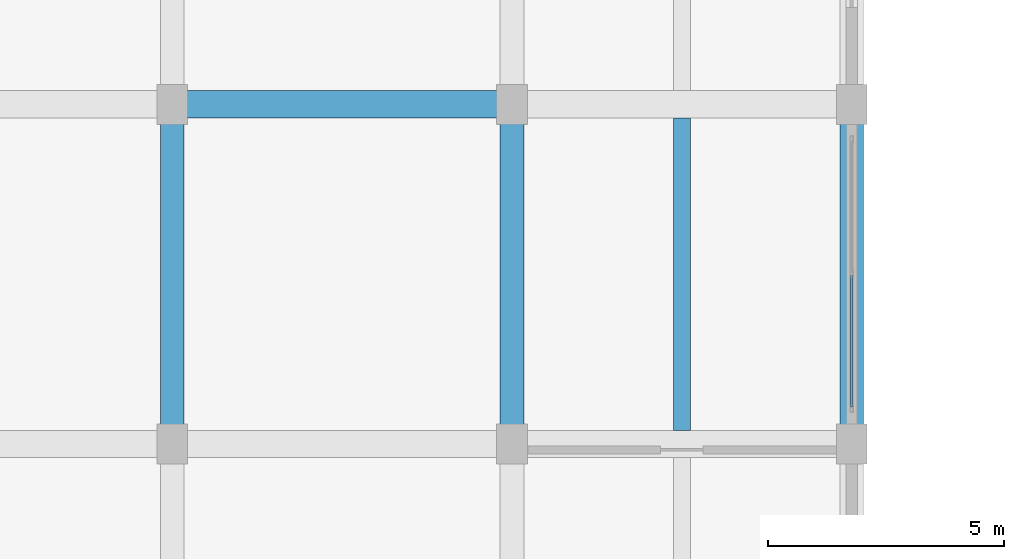
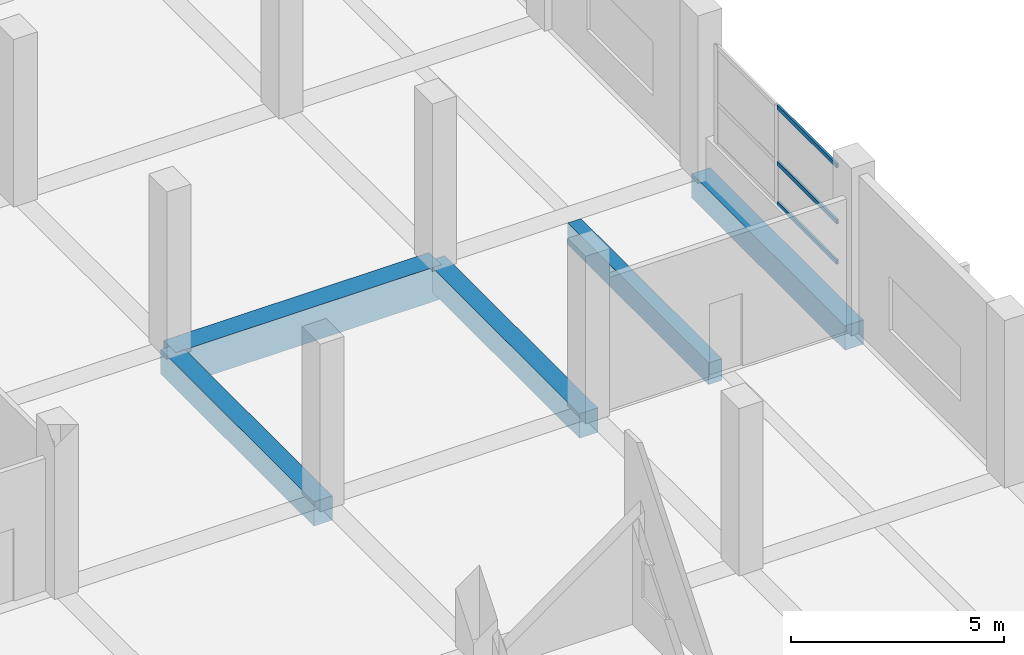
# One storey, part 134 of 181: 5 beams, 3 members, 1 element without a shape of its own.
"""IFC4 building model written with IfcOpenShell, lengths in metres."""

from ifc_helpers import new_model, si_unit, direction, frame, origin, origin_2d, place, context, subcontext, project, spatial, rectangle, hollow_rectangle, extrude, material, layer, layer_set, material_profile, profile_set, type_object, element, aggregate, save


model = new_model("IFC4")

# Units and contexts
model_context = context("Model", 3, precision=1e-05, world=origin(), true_north=direction((0.0, 1.0)))
body_context = subcontext(model_context, "Body", "Model", "MODEL_VIEW")
ifc_project = project(units=[si_unit("LENGTHUNIT", "METRE"), si_unit("AREAUNIT", "SQUARE_METRE"), si_unit("VOLUMEUNIT", "CUBIC_METRE"), si_unit("PLANEANGLEUNIT", "RADIAN"), si_unit("MASSUNIT", "GRAM", prefix="KILO")], contexts=[model_context])

# Site, building, storey
site_placement = place(None, origin())
site = spatial("IfcSite", under=ifc_project, at=site_placement, CompositionType="ELEMENT")
building_placement = place(site_placement, origin())
building = spatial("IfcBuilding", under=site, at=building_placement, Name="Seraya Terrace Polytechnic", CompositionType="ELEMENT")
storey_placement = place(building_placement, frame((0.0, 0.0, 4.800048828125)))
storey = spatial("IfcBuildingStorey", under=building, at=storey_placement, Name="L01", CompositionType="ELEMENT", Elevation=4.800048828125)

# Beams
ifc_material_1 = material(Name="Concrete C40/50", Category="concrete")
ifc_material_profile_1 = material_profile(ifc_material_1, rectangle(XDim=0.580078125, YDim=0.97998046875, at=origin_2d()), Name="RC 580x980")
ifc_profile_set_1 = profile_set([ifc_material_profile_1], Name="Concrete C40/50")
beam_type_1 = type_object("IfcBeamType", Name="BM-02", PredefinedType="BEAM", material=ifc_profile_set_1)
beam_1_placement = place(storey_placement, frame((144.0, 93.60009765625, -0.489990234375), z_axis=(1.0, 0.0, 0.0), x_axis=(0.0, 1.0, 0.0)))
element("IfcBeam", 1, at=beam_1_placement, inside=storey, type_object=beam_type_1, Name="Beam BM-02 L01 X (144.0..151.2, 93.6)", PredefinedType="BEAM", context=body_context, shape_type="SweptSolid", body=[
    extrude(rectangle(XDim=0.580078125, YDim=0.97998046875, at=origin_2d()), origin(), (0.0, 0.0, 1.0), 7.199951171875),
])
ifc_material_profile_2 = material_profile(ifc_material_1, rectangle(XDim=0.5, YDim=0.699951171875, at=origin_2d()), Name="RC 500x700")
ifc_profile_set_2 = profile_set([ifc_material_profile_2], Name="Concrete C40/50")
beam_type_2 = type_object("IfcBeamType", Name="BM-07", PredefinedType="BEAM", material=ifc_profile_set_2)
for number, where, z_axis, x_axis, name in (
    (2, (144.0, 86.39990234375, -0.35009765625), (0.0, 1.0, 0.0), (-1.0, 0.0, 0.0), "Beam BM-07 L01 Y (144.0, 86.4..93.6)"),
    (3, (151.199951171875, 86.39990234375, -0.35009765625), (0.0, 1.0, 0.0), (-1.0, 0.0, 0.0), "Beam BM-07 L01 Y (151.2, 86.4..93.6)"),
    (4, (158.39990234375, 86.39990234375, -0.35009765625), (0.0, 1.0, 0.0), (-1.0, 0.0, 0.0), "Beam BM-07 L01 Y (158.4, 86.4..93.6)"),
):
    element("IfcBeam", number, at=place(storey_placement, frame(where, z_axis=z_axis, x_axis=x_axis)), inside=storey, type_object=beam_type_2, Name=name, PredefinedType="BEAM", context=body_context, shape_type="SweptSolid", body=[
        extrude(rectangle(XDim=0.5, YDim=0.699951171875, at=origin_2d()), origin(), (0.0, 0.0, 1.0), 7.2001953125),
    ])

# Curtain wall, members
ifc_material_2 = material(Name="Anodised aluminium EN AW-6063 T6", Category="aluminium")
ifc_layer = layer(ifc_material_2, 0.179931640625, Name="CW-20")
ifc_layer_set = layer_set([ifc_layer], Name="Anodised aluminium EN AW-6063 T6")
curtain_wall_type = type_object("IfcCurtainWallType", Name="CW-20", PredefinedType="NOTDEFINED", material=ifc_layer_set)
curtain_wall_placement = place(storey_placement, origin())
curtain_wall = element("IfcCurtainWall", 5, at=curtain_wall_placement, inside=storey, type_object=curtain_wall_type, Name="Unitised curtain wall CW-20 (CW-L01-020)", PredefinedType="NOTDEFINED")
ifc_material_profile_3 = material_profile(ifc_material_2, hollow_rectangle(XDim=0.06005859375, YDim=0.1201171875, WallThickness=0.003173828125, at=origin_2d()), Name="RHS 120x60x3.2")
ifc_profile_set_3 = profile_set([ifc_material_profile_3], Name="Anodised aluminium EN AW-6063 T6")
member_type = type_object("IfcMemberType", Name="CWT-02", PredefinedType="USERDEFINED", material=ifc_profile_set_3)
member_1_placement = place(storey_placement, frame((158.39990234375, 89.969970703125, 1.27001953125), z_axis=(0.0, -1.0, 0.0), x_axis=(1.0, 0.0, 0.0)))
member_1 = element("IfcMember", 6, at=member_1_placement, type_object=member_type, Name="CW-20 transom 2.1", ObjectType="TRANSOM", PredefinedType="USERDEFINED", context=body_context, shape_type="SweptSolid", body=[
    extrude(hollow_rectangle(XDim=0.06005859375, YDim=0.1201171875, WallThickness=0.003173828125, at=origin_2d()), origin(), (0.0, 0.0, 1.0), 2.7900390625),
])
member_2_placement = place(storey_placement, frame((158.39990234375, 89.969970703125, 2.42431640625), z_axis=(0.0, -1.0, 0.0), x_axis=(1.0, 0.0, 0.0)))
member_2 = element("IfcMember", 7, at=member_2_placement, type_object=member_type, Name="CW-20 transom 2.2", ObjectType="TRANSOM", PredefinedType="USERDEFINED", context=body_context, shape_type="SweptSolid", body=[
    extrude(hollow_rectangle(XDim=0.06005859375, YDim=0.1201171875, WallThickness=0.003173828125, at=origin_2d()), origin(), (0.0, 0.0, 1.0), 2.7900390625),
])
member_3_placement = place(storey_placement, frame((158.39990234375, 89.969970703125, 4.030029296875), z_axis=(0.0, -1.0, 0.0), x_axis=(1.0, 0.0, 0.0)))
member_3 = element("IfcMember", 8, at=member_3_placement, type_object=member_type, Name="CW-20 transom 2.3", ObjectType="TRANSOM", PredefinedType="USERDEFINED", context=body_context, shape_type="SweptSolid", body=[
    extrude(hollow_rectangle(XDim=0.06005859375, YDim=0.1201171875, WallThickness=0.003173828125, at=origin_2d()), origin(), (0.0, 0.0, 1.0), 2.7900390625),
])
aggregate(curtain_wall, [member_1, member_2, member_3])

# Beam
ifc_material_profile_4 = material_profile(ifc_material_1, rectangle(XDim=0.360107421875, YDim=0.6201171875, at=origin_2d()), Name="RC 360x620")
ifc_profile_set_4 = profile_set([ifc_material_profile_4], Name="Concrete C40/50")
beam_type_3 = type_object("IfcBeamType", Name="JS-01", PredefinedType="JOIST", material=ifc_profile_set_4)
beam_2_placement = place(storey_placement, frame((154.800048828125, 86.68994140625, -0.31005859375), z_axis=(0.0, 1.0, 0.0), x_axis=(-1.0, 0.0, 0.0)))
element("IfcBeam", 9, at=beam_2_placement, inside=storey, type_object=beam_type_3, Name="Secondary joist JS-01 L01", PredefinedType="JOIST", context=body_context, shape_type="SweptSolid", body=[
    extrude(rectangle(XDim=0.360107421875, YDim=0.6201171875, at=origin_2d()), origin(), (0.0, 0.0, 1.0), 6.6201171875),
])

save(model, "model.ifc")
